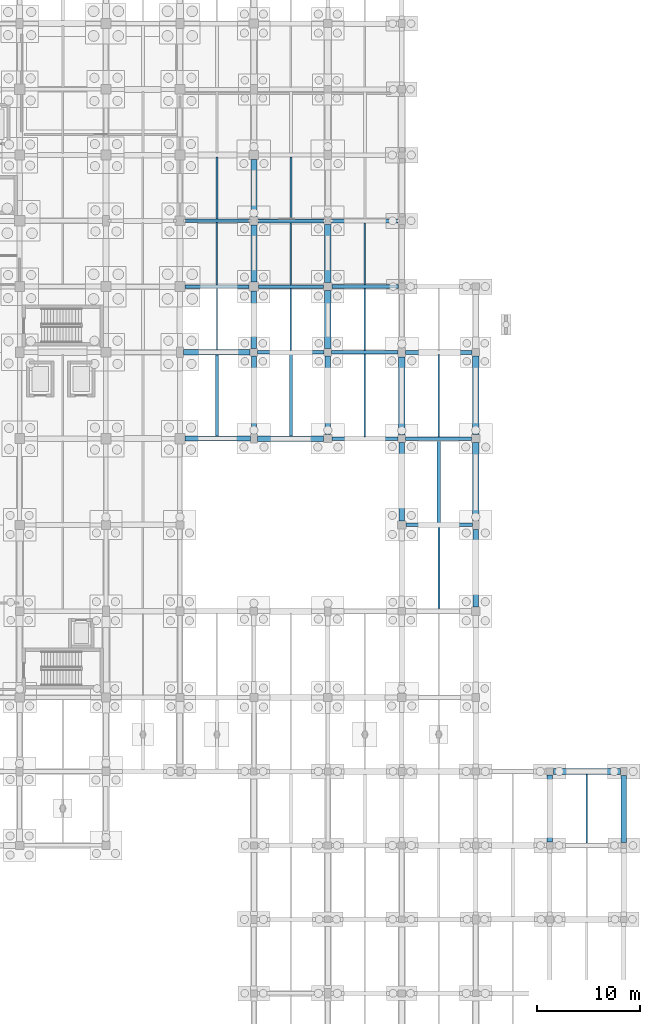
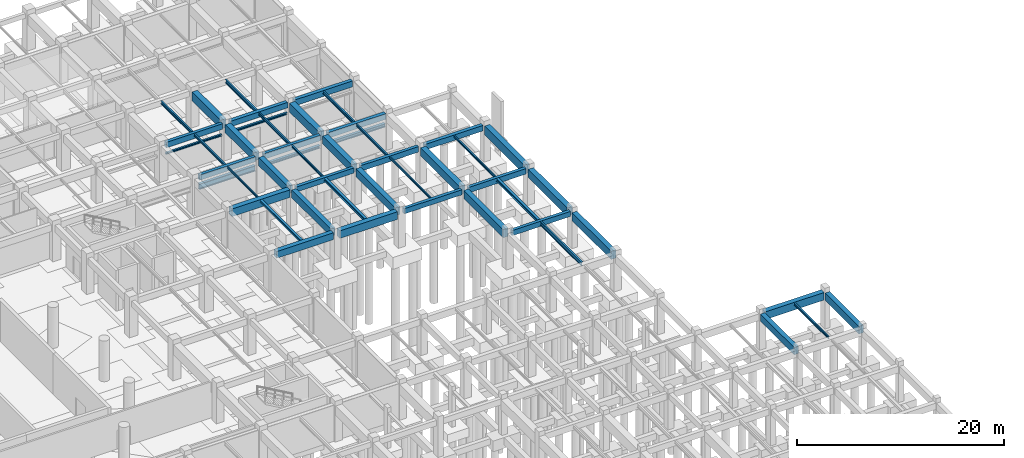
# One storey, part 28 of 44: 48 beams, 2 members.
"""IFC4 building model written with IfcOpenShell, lengths in metres."""

from ifc_helpers import new_model, si_unit, direction, frame, origin, origin_2d, place, context, subcontext, project, spatial, rectangle, i_section, extrude, material, material_profile, profile_set, type_object, element, save


model = new_model("IFC4")

# Units and contexts
model_context = context("Model", 3, precision=1e-05, world=origin(), true_north=direction((0.0, 1.0)))
body_context = subcontext(model_context, "Body", "Model", "MODEL_VIEW")
ifc_project = project(units=[si_unit("LENGTHUNIT", "METRE"), si_unit("AREAUNIT", "SQUARE_METRE"), si_unit("VOLUMEUNIT", "CUBIC_METRE"), si_unit("PLANEANGLEUNIT", "RADIAN"), si_unit("MASSUNIT", "GRAM", prefix="KILO")], contexts=[model_context])

# Site, building, storey
site_placement = place(None, origin())
site = spatial("IfcSite", under=ifc_project, at=site_placement, CompositionType="ELEMENT")
building_placement = place(site_placement, origin())
building = spatial("IfcBuilding", under=site, at=building_placement, Name="Korsvaeld Concert Hall", CompositionType="ELEMENT")
storey_placement = place(building_placement, frame((0.0, 0.0, -4.800048828125)))
storey = spatial("IfcBuildingStorey", under=building, at=storey_placement, Name="B1", CompositionType="ELEMENT", Elevation=-4.800048828125)

# Beams
ifc_material_1 = material(Name="Steel S355J2", Category="steel")
ifc_material_profile_1 = material_profile(ifc_material_1, i_section(OverallWidth=0.300048828125, OverallDepth=0.320068359375, WebThickness=0.011474609375, FlangeThickness=0.0205078125, FilletRadius=0.027099609375, at=origin_2d()), Name="HEB 320")
ifc_profile_set_1 = profile_set([ifc_material_profile_1], Name="Steel S355J2")
beam_type_1 = type_object("IfcBeamType", Name="BM-RAK-HEB320", PredefinedType="USERDEFINED", material=ifc_profile_set_1)
beam_1_placement = place(storey_placement, frame((132.449951171875, 83.199951171875, 2.85009765625), z_axis=(1.0, 0.0, 0.0), x_axis=(0.0, 1.0, 0.0)))
element("IfcBeam", 1, at=beam_1_placement, inside=storey, type_object=beam_type_1, Name="Basement lateral frame strut 07", ObjectType="GIRDER", PredefinedType="USERDEFINED", context=body_context, shape_type="SweptSolid", body=[
    extrude(i_section(OverallWidth=0.300048828125, OverallDepth=0.320068359375, WebThickness=0.011474609375, FlangeThickness=0.0205078125, FilletRadius=0.027099609375, at=origin_2d()), origin(), (0.0, 0.0, 1.0), 6.35009765625),
])
ifc_material_profile_2 = material_profile(ifc_material_1, i_section(OverallWidth=0.300048828125, OverallDepth=0.39990234375, WebThickness=0.013427734375, FlangeThickness=0.02392578125, FilletRadius=0.027099609375, at=origin_2d()), Name="HEB 400")
ifc_profile_set_2 = profile_set([ifc_material_profile_2], Name="Steel S355J2")
beam_type_2 = type_object("IfcBeamType", Name="BM-RAK-HEB400", PredefinedType="USERDEFINED", material=ifc_profile_set_2)
beam_2_placement = place(storey_placement, frame((139.60009765625, 83.199951171875, 2.85009765625), z_axis=(1.0, 0.0, 0.0), x_axis=(0.0, 1.0, 0.0)))
element("IfcBeam", 2, at=beam_2_placement, inside=storey, type_object=beam_type_2, Name="Basement lateral frame strut 08", ObjectType="GIRDER", PredefinedType="USERDEFINED", context=body_context, shape_type="SweptSolid", body=[
    extrude(i_section(OverallWidth=0.300048828125, OverallDepth=0.39990234375, WebThickness=0.013427734375, FlangeThickness=0.02392578125, FilletRadius=0.027099609375, at=origin_2d()), origin(), (0.0, 0.0, 1.0), 6.474853515625),
])
ifc_material_2 = material(Name="Concrete C35/45", Category="concrete")
ifc_material_profile_3 = material_profile(ifc_material_2, rectangle(XDim=0.35009765625, YDim=0.60009765625, at=origin_2d()), Name="RC 350x600")
ifc_profile_set_3 = profile_set([ifc_material_profile_3], Name="Concrete C35/45")
beam_type_3 = type_object("IfcBeamType", Name="BM-RC-350x600", PredefinedType="T_BEAM", material=ifc_profile_set_3)
beam_3_placement = place(storey_placement, frame((146.800048828125, 60.0, 3.949951171875), z_axis=(1.0, 0.0, 0.0), x_axis=(0.0, 1.0, 0.0)))
element("IfcBeam", 3, at=beam_3_placement, inside=storey, type_object=beam_type_3, Name="Primary girder 20-21/J B1", PredefinedType="T_BEAM", context=body_context, shape_type="SweptSolid", body=[
    extrude(rectangle(XDim=0.35009765625, YDim=0.60009765625, at=origin_2d()), origin(), (0.0, 0.0, 1.0), 6.5),
])
beam_4_placement = place(storey_placement, frame((139.60009765625, 68.39990234375, 3.949951171875), z_axis=(1.0, 0.0, 0.0), x_axis=(0.0, 1.0, 0.0)))
element("IfcBeam", 4, at=beam_4_placement, inside=storey, type_object=beam_type_3, Name="Primary girder 19-20/K B1", PredefinedType="T_BEAM", context=body_context, shape_type="SweptSolid", body=[
    extrude(rectangle(XDim=0.35009765625, YDim=0.60009765625, at=origin_2d()), origin(), (0.0, 0.0, 1.0), 6.4248046875),
])
beam_5_placement = place(storey_placement, frame((132.375, 76.800048828125, 3.949951171875), z_axis=(1.0, 0.0, 0.0), x_axis=(0.0, 1.0, 0.0)))
element("IfcBeam", 5, at=beam_5_placement, inside=storey, type_object=beam_type_3, Name="Primary girder 18-19/L B1", PredefinedType="T_BEAM", context=body_context, shape_type="SweptSolid", body=[
    extrude(rectangle(XDim=0.35009765625, YDim=0.60009765625, at=origin_2d()), origin(), (0.0, 0.0, 1.0), 6.449951171875),
])
beam_6_placement = place(storey_placement, frame((125.300048828125, 83.199951171875, 3.949951171875), z_axis=(1.0, 0.0, 0.0), x_axis=(0.0, 1.0, 0.0)))
element("IfcBeam", 6, at=beam_6_placement, inside=storey, type_object=beam_type_3, Name="Primary girder 17-18/M B1", PredefinedType="T_BEAM", context=body_context, shape_type="SweptSolid", body=[
    extrude(rectangle(XDim=0.35009765625, YDim=0.60009765625, at=origin_2d()), origin(), (0.0, 0.0, 1.0), 6.25),
])
ifc_material_profile_4 = material_profile(ifc_material_2, rectangle(XDim=0.35009765625, YDim=0.64990234375, at=origin_2d()), Name="RC 350x650")
ifc_profile_set_4 = profile_set([ifc_material_profile_4], Name="Concrete C35/45")
beam_type_4 = type_object("IfcBeamType", Name="BM-RC-350x650", PredefinedType="T_BEAM", material=ifc_profile_set_4)
beam_7_placement = place(storey_placement, frame((146.77490234375, 68.39990234375, 3.925048828125), z_axis=(1.0, 0.0, 0.0), x_axis=(0.0, 1.0, 0.0)))
element("IfcBeam", 7, at=beam_7_placement, inside=storey, type_object=beam_type_4, Name="Primary girder 20-21/K B1", PredefinedType="T_BEAM", context=body_context, shape_type="SweptSolid", body=[
    extrude(rectangle(XDim=0.35009765625, YDim=0.64990234375, at=origin_2d()), origin(), (0.0, 0.0, 1.0), 6.425048828125),
])
beam_8_placement = place(storey_placement, frame((139.574951171875, 76.800048828125, 3.925048828125), z_axis=(1.0, 0.0, 0.0), x_axis=(0.0, 1.0, 0.0)))
element("IfcBeam", 8, at=beam_8_placement, inside=storey, type_object=beam_type_4, Name="Primary girder 19-20/L B1", PredefinedType="T_BEAM", context=body_context, shape_type="SweptSolid", body=[
    extrude(rectangle(XDim=0.35009765625, YDim=0.64990234375, at=origin_2d()), origin(), (0.0, 0.0, 1.0), 6.47509765625),
])
beam_9_placement = place(storey_placement, frame((132.449951171875, 83.199951171875, 3.925048828125), z_axis=(1.0, 0.0, 0.0), x_axis=(0.0, 1.0, 0.0)))
element("IfcBeam", 9, at=beam_9_placement, inside=storey, type_object=beam_type_4, Name="Primary girder 18-19/M B1", PredefinedType="T_BEAM", context=body_context, shape_type="SweptSolid", body=[
    extrude(rectangle(XDim=0.35009765625, YDim=0.64990234375, at=origin_2d()), origin(), (0.0, 0.0, 1.0), 6.35009765625),
])
beam_10_placement = place(storey_placement, frame((125.27490234375, 89.60009765625, 3.925048828125), z_axis=(1.0, 0.0, 0.0), x_axis=(0.0, 1.0, 0.0)))
element("IfcBeam", 10, at=beam_10_placement, inside=storey, type_object=beam_type_4, Name="Primary girder 17-18/N B1", PredefinedType="T_BEAM", context=body_context, shape_type="SweptSolid", body=[
    extrude(rectangle(XDim=0.35009765625, YDim=0.64990234375, at=origin_2d()), origin(), (0.0, 0.0, 1.0), 6.300048828125),
])
ifc_material_profile_5 = material_profile(ifc_material_2, rectangle(XDim=0.39990234375, YDim=0.64990234375, at=origin_2d()), Name="RC 400x650")
ifc_profile_set_5 = profile_set([ifc_material_profile_5], Name="Concrete C35/45")
beam_type_5 = type_object("IfcBeamType", Name="BM-RC-400x650", PredefinedType="T_BEAM", material=ifc_profile_set_5)
beam_11_placement = place(storey_placement, frame((146.75, 76.800048828125, 3.925048828125), z_axis=(1.0, 0.0, 0.0), x_axis=(0.0, 1.0, 0.0)))
element("IfcBeam", 11, at=beam_11_placement, inside=storey, type_object=beam_type_5, Name="Primary girder 20-21/L B1", PredefinedType="T_BEAM", context=body_context, shape_type="SweptSolid", body=[
    extrude(rectangle(XDim=0.39990234375, YDim=0.64990234375, at=origin_2d()), origin(), (0.0, 0.0, 1.0), 6.47509765625),
])
beam_12_placement = place(storey_placement, frame((139.60009765625, 83.199951171875, 3.925048828125), z_axis=(1.0, 0.0, 0.0), x_axis=(0.0, 1.0, 0.0)))
element("IfcBeam", 12, at=beam_12_placement, inside=storey, type_object=beam_type_5, Name="Primary girder 19-20/M B1", PredefinedType="T_BEAM", context=body_context, shape_type="SweptSolid", body=[
    extrude(rectangle(XDim=0.39990234375, YDim=0.64990234375, at=origin_2d()), origin(), (0.0, 0.0, 1.0), 6.474853515625),
])
beam_13_placement = place(storey_placement, frame((132.425048828125, 89.60009765625, 3.925048828125), z_axis=(1.0, 0.0, 0.0), x_axis=(0.0, 1.0, 0.0)))
element("IfcBeam", 13, at=beam_13_placement, inside=storey, type_object=beam_type_5, Name="Primary girder 18-19/N B1", PredefinedType="T_BEAM", context=body_context, shape_type="SweptSolid", body=[
    extrude(rectangle(XDim=0.39990234375, YDim=0.64990234375, at=origin_2d()), origin(), (0.0, 0.0, 1.0), 6.39990234375),
])
ifc_material_profile_6 = material_profile(ifc_material_2, rectangle(XDim=0.39990234375, YDim=0.699951171875, at=origin_2d()), Name="RC 400x700")
ifc_profile_set_6 = profile_set([ifc_material_profile_6], Name="Concrete C35/45")
beam_type_6 = type_object("IfcBeamType", Name="BM-RC-400x700", PredefinedType="T_BEAM", material=ifc_profile_set_6)
beam_14_placement = place(storey_placement, frame((139.574951171875, 89.60009765625, 3.900146484375), z_axis=(1.0, 0.0, 0.0), x_axis=(0.0, 1.0, 0.0)))
element("IfcBeam", 14, at=beam_14_placement, inside=storey, type_object=beam_type_6, Name="Primary girder 19-20/N B1", PredefinedType="T_BEAM", context=body_context, shape_type="SweptSolid", body=[
    extrude(rectangle(XDim=0.39990234375, YDim=0.699951171875, at=origin_2d()), origin(), (0.0, 0.0, 1.0), 6.47509765625),
])
ifc_material_3 = material(Name="Concrete C40/50", Category="concrete")
ifc_material_profile_7 = material_profile(ifc_material_3, rectangle(XDim=0.5, YDim=0.800048828125, at=origin_2d()), Name="RC 500x800")
ifc_profile_set_7 = profile_set([ifc_material_profile_7], Name="Concrete C40/50")
beam_type_7 = type_object("IfcBeamType", Name="BM-RC-500x800", PredefinedType="T_BEAM", material=ifc_profile_set_7)
beam_15_placement = place(storey_placement, frame((125.300048828125, 68.39990234375, 3.85009765625), z_axis=(1.0, 0.0, 0.0), x_axis=(0.0, 1.0, 0.0)))
element("IfcBeam", 15, at=beam_15_placement, inside=storey, type_object=beam_type_7, Name="Primary girder 17-18/K B1", PredefinedType="T_BEAM", context=body_context, shape_type="SweptSolid", body=[
    extrude(rectangle(XDim=0.5, YDim=0.800048828125, at=origin_2d()), origin(), (0.0, 0.0, 1.0), 6.349853515625),
])
ifc_material_profile_8 = material_profile(ifc_material_3, rectangle(XDim=0.5, YDim=0.85009765625, at=origin_2d()), Name="RC 500x850")
ifc_profile_set_8 = profile_set([ifc_material_profile_8], Name="Concrete C40/50")
beam_type_8 = type_object("IfcBeamType", Name="BM-RC-500x850", PredefinedType="T_BEAM", material=ifc_profile_set_8)
beam_16_placement = place(storey_placement, frame((160.800048828125, 29.125, 3.824951171875), z_axis=(0.0, 1.0, 0.0), x_axis=(-1.0, 0.0, 0.0)))
element("IfcBeam", 16, at=beam_16_placement, inside=storey, type_object=beam_type_8, Name="Primary girder 22/E-F B1", PredefinedType="T_BEAM", context=body_context, shape_type="SweptSolid", body=[
    extrude(rectangle(XDim=0.5, YDim=0.85009765625, at=origin_2d()), origin(), (0.0, 0.0, 1.0), 6.52490234375),
])
ifc_material_profile_9 = material_profile(ifc_material_3, rectangle(XDim=0.5, YDim=0.89990234375, at=origin_2d()), Name="RC 500x900")
ifc_profile_set_9 = profile_set([ifc_material_profile_9], Name="Concrete C40/50")
beam_type_9 = type_object("IfcBeamType", Name="BM-RC-500x900", PredefinedType="T_BEAM", material=ifc_profile_set_9)
beam_17_placement = place(storey_placement, frame((132.0, 68.85009765625, 3.800048828125), z_axis=(0.0, 1.0, 0.0), x_axis=(-1.0, 0.0, 0.0)))
element("IfcBeam", 17, at=beam_17_placement, inside=storey, type_object=beam_type_9, Name="Primary girder 18/K-L B1", PredefinedType="T_BEAM", context=body_context, shape_type="SweptSolid", body=[
    extrude(rectangle(XDim=0.5, YDim=0.89990234375, at=origin_2d()), origin(), (0.0, 0.0, 1.0), 7.574951171875),
])
beam_18_placement = place(storey_placement, frame((168.0, 29.074951171875, 3.800048828125), z_axis=(0.0, 1.0, 0.0), x_axis=(-1.0, 0.0, 0.0)))
element("IfcBeam", 18, at=beam_18_placement, inside=storey, type_object=beam_type_9, Name="Primary girder 23/E-F B1", PredefinedType="T_BEAM", context=body_context, shape_type="SweptSolid", body=[
    extrude(rectangle(XDim=0.5, YDim=0.89990234375, at=origin_2d()), origin(), (0.0, 0.0, 1.0), 6.525146484375),
])
ifc_material_profile_10 = material_profile(ifc_material_3, rectangle(XDim=0.550048828125, YDim=0.89990234375, at=origin_2d()), Name="RC 550x900")
ifc_profile_set_10 = profile_set([ifc_material_profile_10], Name="Concrete C40/50")
beam_type_10 = type_object("IfcBeamType", Name="BM-RC-550x900", PredefinedType="T_BEAM", material=ifc_profile_set_10)
beam_19_placement = place(storey_placement, frame((161.14990234375, 36.0, 3.800048828125), z_axis=(1.0, 0.0, 0.0), x_axis=(0.0, 1.0, 0.0)))
element("IfcBeam", 19, at=beam_19_placement, inside=storey, type_object=beam_type_10, Name="Primary girder 22-23/F B1", PredefinedType="T_BEAM", context=body_context, shape_type="SweptSolid", body=[
    extrude(rectangle(XDim=0.550048828125, YDim=0.89990234375, at=origin_2d()), origin(), (0.0, 0.0, 1.0), 6.550048828125),
])
beam_20_placement = place(storey_placement, frame((132.35009765625, 68.39990234375, 3.800048828125), z_axis=(1.0, 0.0, 0.0), x_axis=(0.0, 1.0, 0.0)))
element("IfcBeam", 20, at=beam_20_placement, inside=storey, type_object=beam_type_10, Name="Primary girder 18-19/K B1", PredefinedType="T_BEAM", context=body_context, shape_type="SweptSolid", body=[
    extrude(rectangle(XDim=0.550048828125, YDim=0.89990234375, at=origin_2d()), origin(), (0.0, 0.0, 1.0), 6.449951171875),
])
beam_21_placement = place(storey_placement, frame((125.14990234375, 76.800048828125, 3.800048828125), z_axis=(1.0, 0.0, 0.0), x_axis=(0.0, 1.0, 0.0)))
element("IfcBeam", 21, at=beam_21_placement, inside=storey, type_object=beam_type_10, Name="Primary girder 17-18/L B1", PredefinedType="T_BEAM", context=body_context, shape_type="SweptSolid", body=[
    extrude(rectangle(XDim=0.550048828125, YDim=0.89990234375, at=origin_2d()), origin(), (0.0, 0.0, 1.0), 6.47509765625),
])
ifc_material_profile_11 = material_profile(ifc_material_3, rectangle(XDim=0.550048828125, YDim=0.949951171875, at=origin_2d()), Name="RC 550x950")
ifc_profile_set_11 = profile_set([ifc_material_profile_11], Name="Concrete C40/50")
beam_type_11 = type_object("IfcBeamType", Name="BM-RC-550x950", PredefinedType="T_BEAM", material=ifc_profile_set_11)
beam_22_placement = place(storey_placement, frame((132.0, 77.175048828125, 3.775146484375), z_axis=(0.0, 1.0, 0.0), x_axis=(-1.0, 0.0, 0.0)))
element("IfcBeam", 22, at=beam_22_placement, inside=storey, type_object=beam_type_11, Name="Primary girder 18/L-M B1", PredefinedType="T_BEAM", context=body_context, shape_type="SweptSolid", body=[
    extrude(rectangle(XDim=0.550048828125, YDim=0.949951171875, at=origin_2d()), origin(), (0.0, 0.0, 1.0), 5.574951171875),
])
for number, where, z_axis, x_axis, name in (
    (23, (139.199951171875, 68.800048828125, 3.775146484375), (0.0, 1.0, 0.0), (-1.0, 0.0, 0.0), "Primary girder 19/K-L B1"),
    (24, (146.39990234375, 60.39990234375, 3.775146484375), (0.0, 1.0, 0.0), (-1.0, 0.0, 0.0), "Primary girder 20/J-K B1"),
):
    element("IfcBeam", number, at=place(storey_placement, frame(where, z_axis=z_axis, x_axis=x_axis)), inside=storey, type_object=beam_type_11, Name=name, PredefinedType="T_BEAM", context=body_context, shape_type="SweptSolid", body=[
        extrude(rectangle(XDim=0.550048828125, YDim=0.949951171875, at=origin_2d()), origin(), (0.0, 0.0, 1.0), 7.625),
    ])
beam_23_placement = place(storey_placement, frame((153.60009765625, 52.0, 3.775146484375), z_axis=(0.0, 1.0, 0.0), x_axis=(-1.0, 0.0, 0.0)))
element("IfcBeam", 25, at=beam_23_placement, inside=storey, type_object=beam_type_11, Name="Primary girder 21/H-J B1", PredefinedType="T_BEAM", context=body_context, shape_type="SweptSolid", body=[
    extrude(rectangle(XDim=0.550048828125, YDim=0.949951171875, at=origin_2d()), origin(), (0.0, 0.0, 1.0), 7.550048828125),
])
ifc_material_profile_12 = material_profile(ifc_material_3, rectangle(XDim=0.60009765625, YDim=1.050048828125, at=origin_2d()), Name="RC 600x1050")
ifc_profile_set_12 = profile_set([ifc_material_profile_12], Name="Concrete C40/50")
beam_type_12 = type_object("IfcBeamType", Name="BM-RC-600x1050", PredefinedType="T_BEAM", material=ifc_profile_set_12)
beam_24_placement = place(storey_placement, frame((132.0, 90.02490234375, 3.72509765625), z_axis=(0.0, 1.0, 0.0), x_axis=(-1.0, 0.0, 0.0)))
element("IfcBeam", 26, at=beam_24_placement, inside=storey, type_object=beam_type_12, Name="Primary girder 18/N-P B1", PredefinedType="T_BEAM", context=body_context, shape_type="SweptSolid", body=[
    extrude(rectangle(XDim=0.60009765625, YDim=1.050048828125, at=origin_2d()), origin(), (0.0, 0.0, 1.0), 5.525146484375),
])
beam_25_placement = place(storey_placement, frame((139.199951171875, 83.60009765625, 3.72509765625), z_axis=(0.0, 1.0, 0.0), x_axis=(-1.0, 0.0, 0.0)))
element("IfcBeam", 27, at=beam_25_placement, inside=storey, type_object=beam_type_12, Name="Primary girder 19/M-N B1", PredefinedType="T_BEAM", context=body_context, shape_type="SweptSolid", body=[
    extrude(rectangle(XDim=0.60009765625, YDim=1.050048828125, at=origin_2d()), origin(), (0.0, 0.0, 1.0), 5.625),
])
beam_26_placement = place(storey_placement, frame((153.60009765625, 68.800048828125, 3.72509765625), z_axis=(0.0, 1.0, 0.0), x_axis=(-1.0, 0.0, 0.0)))
element("IfcBeam", 28, at=beam_26_placement, inside=storey, type_object=beam_type_12, Name="Primary girder 21/K-L B1", PredefinedType="T_BEAM", context=body_context, shape_type="SweptSolid", body=[
    extrude(rectangle(XDim=0.60009765625, YDim=1.050048828125, at=origin_2d()), origin(), (0.0, 0.0, 1.0), 7.625),
])
ifc_material_profile_13 = material_profile(ifc_material_3, rectangle(XDim=0.60009765625, YDim=0.949951171875, at=origin_2d()), Name="RC 600x950")
ifc_profile_set_13 = profile_set([ifc_material_profile_13], Name="Concrete C40/50")
beam_type_13 = type_object("IfcBeamType", Name="BM-RC-600x950", PredefinedType="T_BEAM", material=ifc_profile_set_13)
beam_27_placement = place(storey_placement, frame((132.0, 83.64990234375, 3.775146484375), z_axis=(0.0, 1.0, 0.0), x_axis=(-1.0, 0.0, 0.0)))
element("IfcBeam", 29, at=beam_27_placement, inside=storey, type_object=beam_type_13, Name="Primary girder 18/M-N B1", PredefinedType="T_BEAM", context=body_context, shape_type="SweptSolid", body=[
    extrude(rectangle(XDim=0.60009765625, YDim=0.949951171875, at=origin_2d()), origin(), (0.0, 0.0, 1.0), 5.525146484375),
])
beam_28_placement = place(storey_placement, frame((139.199951171875, 77.175048828125, 3.775146484375), z_axis=(0.0, 1.0, 0.0), x_axis=(-1.0, 0.0, 0.0)))
element("IfcBeam", 30, at=beam_28_placement, inside=storey, type_object=beam_type_13, Name="Primary girder 19/L-M B1", PredefinedType="T_BEAM", context=body_context, shape_type="SweptSolid", body=[
    extrude(rectangle(XDim=0.60009765625, YDim=0.949951171875, at=origin_2d()), origin(), (0.0, 0.0, 1.0), 5.625),
])
beam_29_placement = place(storey_placement, frame((146.39990234375, 68.77490234375, 3.775146484375), z_axis=(0.0, 1.0, 0.0), x_axis=(-1.0, 0.0, 0.0)))
element("IfcBeam", 31, at=beam_29_placement, inside=storey, type_object=beam_type_13, Name="Primary girder 20/K-L B1", PredefinedType="T_BEAM", context=body_context, shape_type="SweptSolid", body=[
    extrude(rectangle(XDim=0.60009765625, YDim=0.949951171875, at=origin_2d()), origin(), (0.0, 0.0, 1.0), 7.5751953125),
])
beam_30_placement = place(storey_placement, frame((153.60009765625, 60.449951171875, 3.775146484375), z_axis=(0.0, 1.0, 0.0), x_axis=(-1.0, 0.0, 0.0)))
element("IfcBeam", 32, at=beam_30_placement, inside=storey, type_object=beam_type_13, Name="Primary girder 21/J-K B1", PredefinedType="T_BEAM", context=body_context, shape_type="SweptSolid", body=[
    extrude(rectangle(XDim=0.60009765625, YDim=0.949951171875, at=origin_2d()), origin(), (0.0, 0.0, 1.0), 7.550048828125),
])
ifc_material_profile_14 = material_profile(ifc_material_1, i_section(OverallWidth=0.280029296875, OverallDepth=0.27001953125, WebThickness=0.008056640625, FlangeThickness=0.012939453125, FilletRadius=0.02392578125, at=origin_2d()), Name="HEA 280")
ifc_profile_set_14 = profile_set([ifc_material_profile_14], Name="Steel S355J2")
beam_type_14 = type_object("IfcBeamType", Name="BM-STL-HEA280", PredefinedType="BEAM", material=ifc_profile_set_14)
beam_31_placement = place(storey_placement, frame((128.39990234375, 68.64990234375, 4.114990234375), z_axis=(0.0, 1.0, 0.0), x_axis=(-1.0, 0.0, 0.0)))
element("IfcBeam", 33, at=beam_31_placement, inside=storey, type_object=beam_type_14, Name="Secondary steel floor beam 17-18/K B1", PredefinedType="BEAM", context=body_context, shape_type="SweptSolid", body=[
    extrude(i_section(OverallWidth=0.280029296875, OverallDepth=0.27001953125, WebThickness=0.008056640625, FlangeThickness=0.012939453125, FilletRadius=0.02392578125, at=origin_2d()), origin(), (0.0, 0.0, 1.0), 7.875),
])
ifc_material_profile_15 = material_profile(ifc_material_1, i_section(OverallWidth=0.300048828125, OverallDepth=0.35009765625, WebThickness=0.010009765625, FlangeThickness=0.017578125, FilletRadius=0.027099609375, at=origin_2d()), Name="HEA 360")
ifc_profile_set_15 = profile_set([ifc_material_profile_15], Name="Steel S355J2")
beam_type_15 = type_object("IfcBeamType", Name="BM-STL-HEA360", PredefinedType="BEAM", material=ifc_profile_set_15)
beam_32_placement = place(storey_placement, frame((135.60009765625, 68.675048828125, 4.074951171875), z_axis=(0.0, 1.0, 0.0), x_axis=(-1.0, 0.0, 0.0)))
element("IfcBeam", 34, at=beam_32_placement, inside=storey, type_object=beam_type_15, Name="Secondary steel floor beam 18-19/K B1", PredefinedType="BEAM", context=body_context, shape_type="SweptSolid", body=[
    extrude(i_section(OverallWidth=0.300048828125, OverallDepth=0.35009765625, WebThickness=0.010009765625, FlangeThickness=0.017578125, FilletRadius=0.027099609375, at=origin_2d()), origin(), (0.0, 0.0, 1.0), 7.949951171875),
])
beam_33_placement = place(storey_placement, frame((150.0, 60.175048828125, 4.074951171875), z_axis=(0.0, 1.0, 0.0), x_axis=(-1.0, 0.0, 0.0)))
element("IfcBeam", 35, at=beam_33_placement, inside=storey, type_object=beam_type_15, Name="Secondary steel floor beam 20-21/J B1", PredefinedType="BEAM", context=body_context, shape_type="SweptSolid", body=[
    extrude(i_section(OverallWidth=0.300048828125, OverallDepth=0.35009765625, WebThickness=0.010009765625, FlangeThickness=0.017578125, FilletRadius=0.027099609375, at=origin_2d()), origin(), (0.0, 0.0, 1.0), 8.050048828125),
])
ifc_material_profile_16 = material_profile(ifc_material_1, i_section(OverallWidth=0.300048828125, OverallDepth=0.64990234375, WebThickness=0.01611328125, FlangeThickness=0.031005859375, FilletRadius=0.027099609375, at=origin_2d()), Name="HEB 650")
ifc_profile_set_16 = profile_set([ifc_material_profile_16], Name="Steel S355J2")
beam_type_16 = type_object("IfcBeamType", Name="BM-STL-HEB650", PredefinedType="USERDEFINED", material=ifc_profile_set_16)
beam_34_placement = place(storey_placement, frame((125.300048828125, 83.199951171875, 2.85009765625), z_axis=(1.0, 0.0, 0.0), x_axis=(0.0, 1.0, 0.0)))
element("IfcBeam", 36, at=beam_34_placement, inside=storey, type_object=beam_type_16, Name="Basement lateral frame strut 06", ObjectType="GIRDER", PredefinedType="USERDEFINED", context=body_context, shape_type="SweptSolid", body=[
    extrude(i_section(OverallWidth=0.300048828125, OverallDepth=0.64990234375, WebThickness=0.01611328125, FlangeThickness=0.031005859375, FilletRadius=0.027099609375, at=origin_2d()), origin(), (0.0, 0.0, 1.0), 6.25),
])
ifc_material_profile_17 = material_profile(ifc_material_1, i_section(OverallWidth=0.1201171875, OverallDepth=0.239990234375, WebThickness=0.006103515625, FlangeThickness=0.009765625, FilletRadius=0.014892578125, at=origin_2d()), Name="IPE 240")
ifc_profile_set_17 = profile_set([ifc_material_profile_17], Name="Steel S355J2")
beam_type_17 = type_object("IfcBeamType", Name="BM-STL-IPE240", PredefinedType="JOIST", material=ifc_profile_set_17)
beam_35_placement = place(storey_placement, frame((128.39990234375, 77.074951171875, 4.130126953125), z_axis=(0.0, 1.0, 0.0), x_axis=(-1.0, 0.0, 0.0)))
element("IfcBeam", 37, at=beam_35_placement, inside=storey, type_object=beam_type_17, Name="Secondary steel floor beam 17-18/L B1", PredefinedType="JOIST", context=body_context, shape_type="SweptSolid", body=[
    extrude(i_section(OverallWidth=0.1201171875, OverallDepth=0.239990234375, WebThickness=0.006103515625, FlangeThickness=0.009765625, FilletRadius=0.014892578125, at=origin_2d()), origin(), (0.0, 0.0, 1.0), 5.949951171875),
])
beam_36_placement = place(storey_placement, frame((142.800048828125, 68.574951171875, 4.130126953125), z_axis=(0.0, 1.0, 0.0), x_axis=(-1.0, 0.0, 0.0)))
element("IfcBeam", 38, at=beam_36_placement, inside=storey, type_object=beam_type_17, Name="Secondary steel floor beam 19-20/K B1", PredefinedType="JOIST", context=body_context, shape_type="SweptSolid", body=[
    extrude(i_section(OverallWidth=0.1201171875, OverallDepth=0.239990234375, WebThickness=0.006103515625, FlangeThickness=0.009765625, FilletRadius=0.014892578125, at=origin_2d()), origin(), (0.0, 0.0, 1.0), 8.050048828125),
])
ifc_material_profile_18 = material_profile(ifc_material_1, i_section(OverallWidth=0.135009765625, OverallDepth=0.27001953125, WebThickness=0.006591796875, FlangeThickness=0.01025390625, FilletRadius=0.014892578125, at=origin_2d()), Name="IPE 270")
ifc_profile_set_18 = profile_set([ifc_material_profile_18], Name="Steel S355J2")
beam_type_18 = type_object("IfcBeamType", Name="BM-STL-IPE270", PredefinedType="JOIST", material=ifc_profile_set_18)
beam_37_placement = place(storey_placement, frame((135.60009765625, 76.97509765625, 4.114990234375), z_axis=(0.0, 1.0, 0.0), x_axis=(-1.0, 0.0, 0.0)))
element("IfcBeam", 39, at=beam_37_placement, inside=storey, type_object=beam_type_18, Name="Secondary steel floor beam 18-19/L B1", PredefinedType="JOIST", context=body_context, shape_type="SweptSolid", body=[
    extrude(i_section(OverallWidth=0.135009765625, OverallDepth=0.27001953125, WebThickness=0.006591796875, FlangeThickness=0.01025390625, FilletRadius=0.014892578125, at=origin_2d()), origin(), (0.0, 0.0, 1.0), 6.0498046875),
])
beam_38_placement = place(storey_placement, frame((150.0, 68.574951171875, 4.114990234375), z_axis=(0.0, 1.0, 0.0), x_axis=(-1.0, 0.0, 0.0)))
element("IfcBeam", 40, at=beam_38_placement, inside=storey, type_object=beam_type_18, Name="Secondary steel floor beam 20-21/K B1", PredefinedType="JOIST", context=body_context, shape_type="SweptSolid", body=[
    extrude(i_section(OverallWidth=0.135009765625, OverallDepth=0.27001953125, WebThickness=0.006591796875, FlangeThickness=0.01025390625, FilletRadius=0.014892578125, at=origin_2d()), origin(), (0.0, 0.0, 1.0), 8.025146484375),
])
ifc_material_profile_19 = material_profile(ifc_material_1, i_section(OverallWidth=0.14990234375, OverallDepth=0.300048828125, WebThickness=0.007080078125, FlangeThickness=0.0107421875, FilletRadius=0.014892578125, at=origin_2d()), Name="IPE 300")
ifc_profile_set_19 = profile_set([ifc_material_profile_19], Name="Steel S355J2")
beam_type_19 = type_object("IfcBeamType", Name="BM-STL-IPE300", PredefinedType="JOIST", material=ifc_profile_set_19)
beam_39_placement = place(storey_placement, frame((128.39990234375, 83.375, 4.10009765625), z_axis=(0.0, 1.0, 0.0), x_axis=(-1.0, 0.0, 0.0)))
element("IfcBeam", 41, at=beam_39_placement, inside=storey, type_object=beam_type_19, Name="Secondary steel floor beam 17-18/M B1", PredefinedType="JOIST", context=body_context, shape_type="SweptSolid", body=[
    extrude(i_section(OverallWidth=0.14990234375, OverallDepth=0.300048828125, WebThickness=0.007080078125, FlangeThickness=0.0107421875, FilletRadius=0.014892578125, at=origin_2d()), origin(), (0.0, 0.0, 1.0), 6.050048828125),
])
beam_40_placement = place(storey_placement, frame((142.800048828125, 76.97509765625, 4.10009765625), z_axis=(0.0, 1.0, 0.0), x_axis=(-1.0, 0.0, 0.0)))
element("IfcBeam", 42, at=beam_40_placement, inside=storey, type_object=beam_type_19, Name="Secondary steel floor beam 19-20/L B1", PredefinedType="JOIST", context=body_context, shape_type="SweptSolid", body=[
    extrude(i_section(OverallWidth=0.14990234375, OverallDepth=0.300048828125, WebThickness=0.007080078125, FlangeThickness=0.0107421875, FilletRadius=0.014892578125, at=origin_2d()), origin(), (0.0, 0.0, 1.0), 6.02490234375),
])
beam_41_placement = place(storey_placement, frame((164.39990234375, 29.050048828125, 4.10009765625), z_axis=(0.0, 1.0, 0.0), x_axis=(-1.0, 0.0, 0.0)))
element("IfcBeam", 43, at=beam_41_placement, inside=storey, type_object=beam_type_19, Name="Secondary steel floor beam 22-23/E B1", PredefinedType="JOIST", context=body_context, shape_type="SweptSolid", body=[
    extrude(i_section(OverallWidth=0.14990234375, OverallDepth=0.300048828125, WebThickness=0.007080078125, FlangeThickness=0.0107421875, FilletRadius=0.014892578125, at=origin_2d()), origin(), (0.0, 0.0, 1.0), 6.675048828125),
])
ifc_material_profile_20 = material_profile(ifc_material_1, i_section(OverallWidth=0.159912109375, OverallDepth=0.330078125, WebThickness=0.007568359375, FlangeThickness=0.011474609375, FilletRadius=0.01806640625, at=origin_2d()), Name="IPE 330")
ifc_profile_set_20 = profile_set([ifc_material_profile_20], Name="Steel S355J2")
beam_type_20 = type_object("IfcBeamType", Name="BM-STL-IPE330", PredefinedType="BEAM", material=ifc_profile_set_20)
beam_42_placement = place(storey_placement, frame((135.60009765625, 83.375, 4.0849609375), z_axis=(0.0, 1.0, 0.0), x_axis=(-1.0, 0.0, 0.0)))
element("IfcBeam", 44, at=beam_42_placement, inside=storey, type_object=beam_type_20, Name="Secondary steel floor beam 18-19/M B1", PredefinedType="BEAM", context=body_context, shape_type="SweptSolid", body=[
    extrude(i_section(OverallWidth=0.159912109375, OverallDepth=0.330078125, WebThickness=0.007568359375, FlangeThickness=0.011474609375, FilletRadius=0.01806640625, at=origin_2d()), origin(), (0.0, 0.0, 1.0), 6.02490234375),
])
ifc_material_profile_21 = material_profile(ifc_material_1, i_section(OverallWidth=0.169921875, OverallDepth=0.360107421875, WebThickness=0.008056640625, FlangeThickness=0.0126953125, FilletRadius=0.01806640625, at=origin_2d()), Name="IPE 360")
ifc_profile_set_21 = profile_set([ifc_material_profile_21], Name="Steel S355J2")
beam_type_21 = type_object("IfcBeamType", Name="BM-STL-IPE360", PredefinedType="BEAM", material=ifc_profile_set_21)
beam_43_placement = place(storey_placement, frame((128.39990234375, 89.77490234375, 4.070068359375), z_axis=(0.0, 1.0, 0.0), x_axis=(-1.0, 0.0, 0.0)))
element("IfcBeam", 45, at=beam_43_placement, inside=storey, type_object=beam_type_21, Name="Secondary steel floor beam 17-18/N B1", PredefinedType="BEAM", context=body_context, shape_type="SweptSolid", body=[
    extrude(i_section(OverallWidth=0.169921875, OverallDepth=0.360107421875, WebThickness=0.008056640625, FlangeThickness=0.0126953125, FilletRadius=0.01806640625, at=origin_2d()), origin(), (0.0, 0.0, 1.0), 6.025146484375),
])
beam_44_placement = place(storey_placement, frame((142.800048828125, 83.39990234375, 4.070068359375), z_axis=(0.0, 1.0, 0.0), x_axis=(-1.0, 0.0, 0.0)))
element("IfcBeam", 46, at=beam_44_placement, inside=storey, type_object=beam_type_21, Name="Secondary steel floor beam 19-20/M B1", PredefinedType="BEAM", context=body_context, shape_type="SweptSolid", body=[
    extrude(i_section(OverallWidth=0.169921875, OverallDepth=0.360107421875, WebThickness=0.008056640625, FlangeThickness=0.0126953125, FilletRadius=0.01806640625, at=origin_2d()), origin(), (0.0, 0.0, 1.0), 6.0),
])
ifc_material_profile_22 = material_profile(ifc_material_1, i_section(OverallWidth=0.179931640625, OverallDepth=0.39990234375, WebThickness=0.008544921875, FlangeThickness=0.013427734375, FilletRadius=0.02099609375, at=origin_2d()), Name="IPE 400")
ifc_profile_set_22 = profile_set([ifc_material_profile_22], Name="Steel S355J2")
beam_type_22 = type_object("IfcBeamType", Name="BM-STL-IPE400", PredefinedType="BEAM", material=ifc_profile_set_22)
beam_45_placement = place(storey_placement, frame((135.60009765625, 89.800048828125, 4.050048828125), z_axis=(0.0, 1.0, 0.0), x_axis=(-1.0, 0.0, 0.0)))
element("IfcBeam", 47, at=beam_45_placement, inside=storey, type_object=beam_type_22, Name="Secondary steel floor beam 18-19/N B1", PredefinedType="BEAM", context=body_context, shape_type="SweptSolid", body=[
    extrude(i_section(OverallWidth=0.179931640625, OverallDepth=0.39990234375, WebThickness=0.008544921875, FlangeThickness=0.013427734375, FilletRadius=0.02099609375, at=origin_2d()), origin(), (0.0, 0.0, 1.0), 6.0),
])
ifc_material_profile_23 = material_profile(ifc_material_1, i_section(OverallWidth=0.18994140625, OverallDepth=0.449951171875, WebThickness=0.009521484375, FlangeThickness=0.0146484375, FilletRadius=0.02099609375, at=origin_2d()), Name="IPE 450")
ifc_profile_set_23 = profile_set([ifc_material_profile_23], Name="Steel S355J2")
beam_type_23 = type_object("IfcBeamType", Name="BM-STL-IPE450", PredefinedType="BEAM", material=ifc_profile_set_23)
beam_46_placement = place(storey_placement, frame((150.0, 51.875, 4.025146484375), z_axis=(0.0, 1.0, 0.0), x_axis=(-1.0, 0.0, 0.0)))
element("IfcBeam", 48, at=beam_46_placement, inside=storey, type_object=beam_type_23, Name="Secondary steel floor beam 20-21/H B1", PredefinedType="BEAM", context=body_context, shape_type="SweptSolid", body=[
    extrude(i_section(OverallWidth=0.18994140625, OverallDepth=0.449951171875, WebThickness=0.009521484375, FlangeThickness=0.0146484375, FilletRadius=0.02099609375, at=origin_2d()), origin(), (0.0, 0.0, 1.0), 7.949951171875),
])

# Members
ifc_material_profile_24 = material_profile(ifc_material_1, i_section(OverallWidth=0.199951171875, OverallDepth=0.199951171875, WebThickness=0.009033203125, FlangeThickness=0.014892578125, FilletRadius=0.01806640625, at=origin_2d()), Name="HEB 200")
ifc_profile_set_24 = profile_set([ifc_material_profile_24], Name="Steel S355J2")
member_type_1 = type_object("IfcMemberType", Name="MEM-STR-HEB200", PredefinedType="STRUT", material=ifc_profile_set_24)
member_1_placement = place(storey_placement, frame((125.27490234375, 89.60009765625, 2.85009765625), z_axis=(1.0, 0.0, 0.0), x_axis=(0.0, 1.0, 0.0)))
element("IfcMember", 49, at=member_1_placement, inside=storey, type_object=member_type_1, Name="Basement lateral frame strut 14", PredefinedType="STRUT", context=body_context, shape_type="SweptSolid", body=[
    extrude(i_section(OverallWidth=0.199951171875, OverallDepth=0.199951171875, WebThickness=0.009033203125, FlangeThickness=0.014892578125, FilletRadius=0.01806640625, at=origin_2d()), origin(), (0.0, 0.0, 1.0), 6.300048828125),
])
ifc_material_profile_25 = material_profile(ifc_material_1, i_section(OverallWidth=0.219970703125, OverallDepth=0.219970703125, WebThickness=0.009521484375, FlangeThickness=0.01611328125, FilletRadius=0.01806640625, at=origin_2d()), Name="HEB 220")
ifc_profile_set_25 = profile_set([ifc_material_profile_25], Name="Steel S355J2")
member_type_2 = type_object("IfcMemberType", Name="MEM-STR-HEB220", PredefinedType="STRUT", material=ifc_profile_set_25)
member_2_placement = place(storey_placement, frame((132.425048828125, 89.60009765625, 2.85009765625), z_axis=(1.0, 0.0, 0.0), x_axis=(0.0, 1.0, 0.0)))
element("IfcMember", 50, at=member_2_placement, inside=storey, type_object=member_type_2, Name="Basement lateral frame strut 15", PredefinedType="STRUT", context=body_context, shape_type="SweptSolid", body=[
    extrude(i_section(OverallWidth=0.219970703125, OverallDepth=0.219970703125, WebThickness=0.009521484375, FlangeThickness=0.01611328125, FilletRadius=0.01806640625, at=origin_2d()), origin(), (0.0, 0.0, 1.0), 6.39990234375),
])

save(model, "model.ifc")
